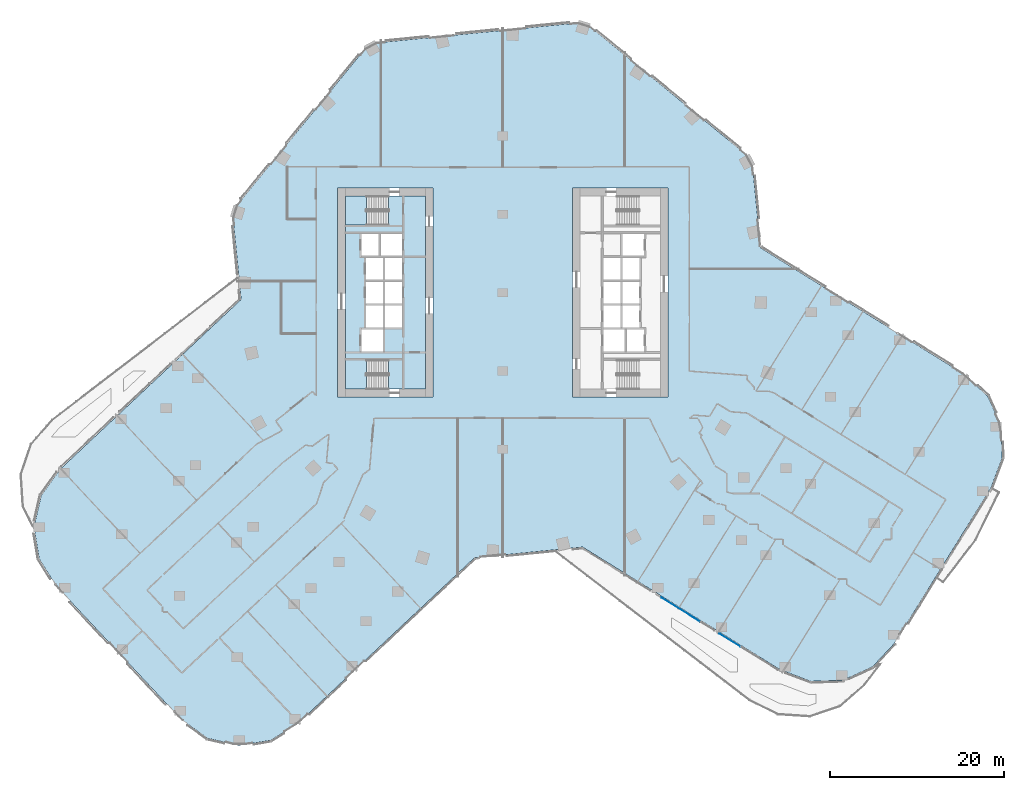
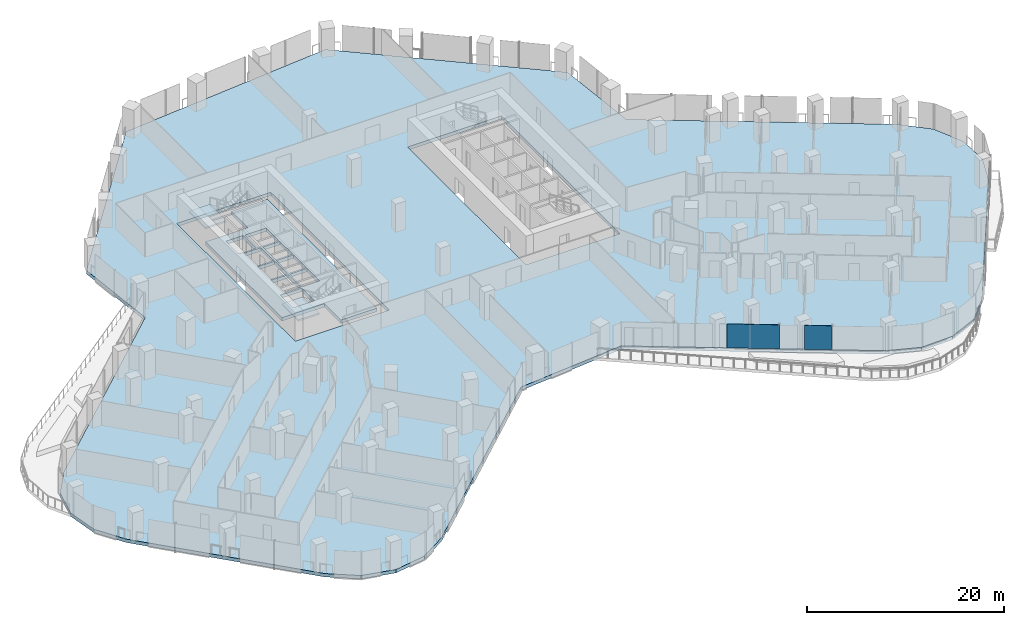
# One storey, part 19 of 34: 4 slabs, 2 plates, 3 elements without a shape of their own.
"""IFC4 building model written with IfcOpenShell, lengths in metres."""

from ifc_helpers import new_model, si_unit, direction, frame, origin, origin_2d, place, context, subcontext, project, spatial, polyline, rectangle, outline, extrude, material, layer, layer_set, type_object, element, aggregate, save


model = new_model("IFC4")

# Units and contexts
model_context = context("Model", 3, precision=1e-05, world=origin(), true_north=direction((0.0, 1.0)))
body_context = subcontext(model_context, "Body", "Model", "MODEL_VIEW")
ifc_project = project(units=[si_unit("LENGTHUNIT", "METRE"), si_unit("AREAUNIT", "SQUARE_METRE"), si_unit("VOLUMEUNIT", "CUBIC_METRE"), si_unit("PLANEANGLEUNIT", "RADIAN"), si_unit("MASSUNIT", "GRAM", prefix="KILO")], contexts=[model_context])

# Site, building, storey
site_placement = place(None, origin())
site = spatial("IfcSite", under=ifc_project, at=site_placement, CompositionType="ELEMENT")
building_placement = place(site_placement, origin())
building = spatial("IfcBuilding", under=site, at=building_placement, Name="Orlundy Tower", CompositionType="ELEMENT")
storey_placement = place(building_placement, frame((0.0, 0.0, 37.300048828125)))
storey = spatial("IfcBuildingStorey", under=building, at=storey_placement, Name="L07", CompositionType="ELEMENT", Elevation=37.300048828125)

# Curtain wall, plates
ifc_material_1 = material(Name="Aluminium bronze anodised", Category="aluminium")
curtain_wall_type = type_object("IfcCurtainWallType", Name="CW1 wall", PredefinedType="NOTDEFINED", material=ifc_material_1)
curtain_wall_placement = place(storey_placement, origin())
curtain_wall = element("IfcCurtainWall", 1, at=curtain_wall_placement, inside=storey, type_object=curtain_wall_type, Name="CW1 run 016", PredefinedType="NOTDEFINED")
ifc_material_2 = material(Name="Tinted glass", Category="glass")
ifc_layer_1 = layer(ifc_material_2, 0.031982421875)
ifc_layer_set_1 = layer_set([ifc_layer_1], Name="CW1 glass panel 32")
plate_type = type_object("IfcPlateType", Name="CW1 glass panel 32", PredefinedType="CURTAIN_PANEL", material=ifc_layer_set_1)
plate_1_placement = place(storey_placement, frame((26.084228515625, -39.927978515625, 0.119873046875), z_axis=(0.0, 0.0, 1.0), x_axis=(-0.849586512969, 0.52744929328, 0.0)))
plate_1 = element("IfcPlate", 2, at=plate_1_placement, type_object=plate_type, Name="CW1 panel", PredefinedType="CURTAIN_PANEL", context=body_context, shape_type="SweptSolid", body=[
    extrude(rectangle(XDim=2.794189453125, YDim=0.031982421875, at=origin_2d()), origin(), (0.0, 0.0, 1.0), 2.9599609375),
])
plate_2_placement = place(storey_placement, frame((20.466064453125, -36.43994140625, 0.119873046875), z_axis=(0.0, 0.0, 1.0), x_axis=(-0.849586512969, 0.52744929328, 0.0)))
plate_2 = element("IfcPlate", 3, at=plate_2_placement, type_object=plate_type, Name="CW1 panel", PredefinedType="CURTAIN_PANEL", context=body_context, shape_type="SweptSolid", body=[
    extrude(rectangle(XDim=5.306640625, YDim=0.031982421875, at=origin_2d()), origin(), (0.0, 0.0, 1.0), 2.9599609375),
])
aggregate(curtain_wall, [plate_1, plate_2])

# Slab
ifc_material_3 = material(Name="Concrete C50/60", Category="concrete")
ifc_layer_2 = layer(ifc_material_3, 0.419921875)
ifc_layer_set_2 = layer_set([ifc_layer_2], Name="Core Floor Slab 420")
slab_type_1 = type_object("IfcSlabType", Name="Core Floor Slab 420", PredefinedType="FLOOR", material=ifc_layer_set_2)
slab_1_placement = place(storey_placement, frame((0.0, 0.0, -0.420166015625)))
element("IfcSlab", 4, at=slab_1_placement, inside=storey, type_object=slab_type_1, Name="Core floor W08", PredefinedType="FLOOR", context=body_context, shape_type="SweptSolid", body=[
    extrude(outline(polyline([(-13.14501953125, 7.75), (-13.14501953125, 11.10009765625), (-8.89990234375, 11.10009765625), (-8.89990234375, -11.10009765625), (-13.14501953125, -11.10009765625), (-13.14501953125, -7.75), (-18.10009765625, -7.75), (-18.10009765625, 7.75), (-13.14501953125, 7.75)]), holes=[polyline([(-16.239990234375, -6.77490234375), (-13.739990234375, -6.77490234375), (-13.739990234375, -4.22509765625), (-16.239990234375, -4.22509765625), (-16.239990234375, -6.77490234375)]), polyline([(-13.5400390625, -1.47509765625), (-13.5400390625, -4.02490234375), (-11.5400390625, -4.02490234375), (-11.5400390625, -1.47509765625), (-13.5400390625, -1.47509765625)]), polyline([(-13.739990234375, -1.47509765625), (-15.739990234375, -1.47509765625), (-15.739990234375, -4.02490234375), (-13.739990234375, -4.02490234375), (-13.739990234375, -1.47509765625)]), polyline([(-11.5400390625, -1.27490234375), (-11.5400390625, 1.27490234375), (-13.5400390625, 1.27490234375), (-13.5400390625, -1.27490234375), (-11.5400390625, -1.27490234375)]), polyline([(-15.739990234375, -1.27490234375), (-13.739990234375, -1.27490234375), (-13.739990234375, 1.27490234375), (-15.739990234375, 1.27490234375), (-15.739990234375, -1.27490234375)]), polyline([(-13.5400390625, 4.02490234375), (-13.5400390625, 1.47509765625), (-11.5400390625, 1.47509765625), (-11.5400390625, 4.02490234375), (-13.5400390625, 4.02490234375)]), polyline([(-13.739990234375, 4.02490234375), (-15.739990234375, 4.02490234375), (-15.739990234375, 1.47509765625), (-13.739990234375, 1.47509765625), (-13.739990234375, 4.02490234375)]), polyline([(-11.5400390625, 4.22509765625), (-11.5400390625, 6.77490234375), (-14.0400390625, 6.77490234375), (-14.0400390625, 4.22509765625), (-11.5400390625, 4.22509765625)]), polyline([(-16.239990234375, 4.22509765625), (-14.239990234375, 4.22509765625), (-14.239990234375, 6.77490234375), (-16.239990234375, 6.77490234375), (-16.239990234375, 4.22509765625)])]), origin(), (0.0, 0.0, 1.0), 0.420166015625),
])

# Stair, slab
ifc_material_4 = material(Name="Concrete C50/60", Category="concrete")
stair_type = type_object("IfcStairType", Name="Exit Stair 20 risers", PredefinedType="HALF_TURN_STAIR", material=ifc_material_4)
stair_1_placement = place(storey_placement, origin())
stair_1 = element("IfcStair", 5, at=stair_1_placement, inside=storey, type_object=stair_type, Name="L07 Exit Stair ST-W1", PredefinedType="HALF_TURN_STAIR")
ifc_material_5 = material(Name="Concrete C50/60", Category="concrete")
ifc_layer_3 = layer(ifc_material_5, 0.199951171875)
ifc_layer_set_3 = layer_set([ifc_layer_3], Name="Exit Stair Landing")
slab_type_2 = type_object("IfcSlabType", Name="Exit Stair Landing", PredefinedType="LANDING", material=ifc_layer_set_3)
slab_2_placement = place(storey_placement, frame((0.0, 0.0, 1.550048828125)))
slab_2 = element("IfcSlab", 6, at=slab_2_placement, type_object=slab_type_2, Name="ST-W1 landing 1", PredefinedType="LANDING", context=body_context, shape_type="SweptSolid", body=[
    extrude(outline(polyline([(-15.659912109375, 11.10009765625), (-18.10009765625, 11.10009765625), (-18.10009765625, 7.75), (-15.659912109375, 7.75), (-15.659912109375, 11.10009765625)])), origin(), (0.0, 0.0, 1.0), 0.199951171875),
])
aggregate(stair_1, [slab_2])

stair_2_placement = place(storey_placement, origin())
stair_2 = element("IfcStair", 7, at=stair_2_placement, inside=storey, type_object=stair_type, Name="L07 Exit Stair ST-W2", PredefinedType="HALF_TURN_STAIR")
slab_3_placement = place(storey_placement, frame((0.0, 0.0, 1.550048828125)))
slab_3 = element("IfcSlab", 8, at=slab_3_placement, type_object=slab_type_2, Name="ST-W2 landing 1", PredefinedType="LANDING", context=body_context, shape_type="SweptSolid", body=[
    extrude(outline(polyline([(-15.659912109375, -7.75), (-18.10009765625, -7.75), (-18.10009765625, -11.10009765625), (-15.659912109375, -11.10009765625), (-15.659912109375, -7.75)])), origin(), (0.0, 0.0, 1.0), 0.199951171875),
])
aggregate(stair_2, [slab_3])

# Slab
ifc_material_6 = material(Name="Concrete C45/55", Category="concrete")
ifc_layer_4 = layer(ifc_material_6, 0.419921875)
ifc_layer_set_4 = layer_set([ifc_layer_4], Name="TRANSFER FLOOR SLAB 420 C45/55")
slab_type_3 = type_object("IfcSlabType", Name="TRANSFER FLOOR SLAB 420 C45/55", PredefinedType="FLOOR", material=ifc_layer_set_4)
slab_4_placement = place(storey_placement, frame((0.0, 0.0, -0.420166015625)))
element("IfcSlab", 9, at=slab_4_placement, inside=storey, type_object=slab_type_3, Name="Floor slab L07", PredefinedType="FLOOR", context=body_context, shape_type="SweptSolid", body=[
    extrude(outline(polyline([(-30.070068359375, -0.782958984375), (-31.080078125, 9.403076171875), (-15.327880859375, 28.6259765625), (9.403076171875, 31.080078125), (28.6259765625, 15.327880859375), (29.636962890625, 5.14111328125), (53.028076171875, -9.381103515625), (55.736083984375, -11.9130859375), (57.26806640625, -15.2880859375), (57.39208984375, -18.992919921875), (56.089111328125, -22.462890625), (45.011962890625, -40.303955078125), (42.47998046875, -43.010986328125), (39.10498046875, -44.54296875), (35.39990234375, -44.6669921875), (31.929931640625, -43.364013671875), (9.175048828125, -29.237060546875), (-3.25, -30.469970703125), (-23.514892578125, -49.47802734375), (-26.662109375, -51.43701171875), (-30.318115234375, -52.0439453125), (-33.928955078125, -51.205078125), (-36.943115234375, -49.048095703125), (-51.31005859375, -33.73095703125), (-53.27001953125, -30.5849609375), (-53.8759765625, -26.927978515625), (-53.037109375, -23.31689453125), (-50.8798828125, -20.302978515625), (-30.070068359375, -0.782958984375)]), holes=[polyline([(-8.0, -12.0), (-8.0, 12.0), (-19.0, 12.0), (-19.0, -12.0), (-8.0, -12.0)]), polyline([(19.0, -12.0), (19.0, 12.0), (8.0, 12.0), (8.0, -12.0), (19.0, -12.0)])]), origin(), (0.0, 0.0, 1.0), 0.420166015625),
])

save(model, "model.ifc")
